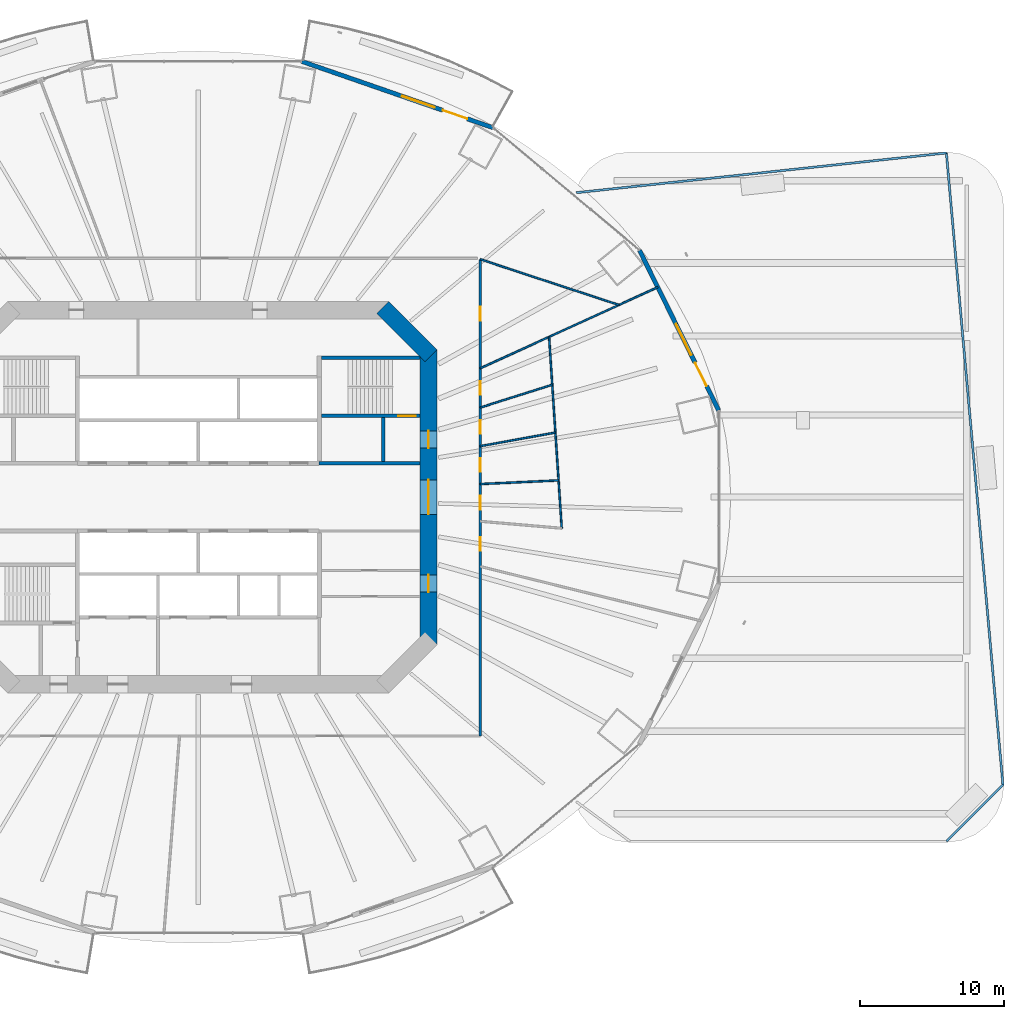
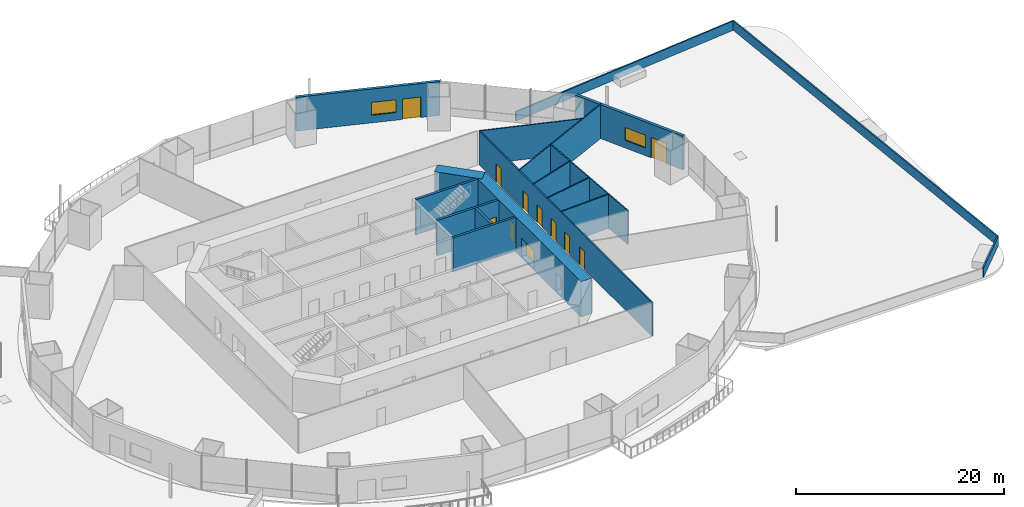
# One storey, part 21 of 27: 18 walls, 11 doors, 3 windows, 14 openings.
"""IFC4 building model written with IfcOpenShell, lengths in metres."""

from ifc_helpers import new_model, si_unit, direction, frame, frame_2d, origin, place, context, subcontext, project, spatial, rectangle, extrude, material, layer, layer_set, type_object, element, fill, save


model = new_model("IFC4")

# Units and contexts
model_context = context("Model", 3, precision=1e-05, world=origin(), true_north=direction((0.0, 1.0)))
body_context = subcontext(model_context, "Body", "Model", "MODEL_VIEW")
ifc_project = project(units=[si_unit("LENGTHUNIT", "METRE"), si_unit("AREAUNIT", "SQUARE_METRE"), si_unit("VOLUMEUNIT", "CUBIC_METRE"), si_unit("PLANEANGLEUNIT", "RADIAN"), si_unit("MASSUNIT", "GRAM", prefix="KILO")], contexts=[model_context])

# Site, building, storey
site_placement = place(None, origin())
site = spatial("IfcSite", under=ifc_project, at=site_placement, CompositionType="ELEMENT")
building_placement = place(site_placement, origin())
building = spatial("IfcBuilding", under=site, at=building_placement, Name="Marenthal Gate Tower", CompositionType="ELEMENT")
storey_placement = place(building_placement, frame((0.0, 0.0, 33.0)))
storey = spatial("IfcBuildingStorey", under=building, at=storey_placement, Name="L04", CompositionType="ELEMENT", Elevation=33.0)

# Wall, openings, doors
ifc_material_1 = material(Name="Concrete 60 MPa", Category="concrete")
ifc_layer_1 = layer(ifc_material_1, 1.199951171875)
ifc_layer_set_1 = layer_set([ifc_layer_1], Name="Core shear wall 1200")
wall_type_1 = type_object("IfcWallType", Name="Core shear wall 1200", PredefinedType="SHEAR", material=ifc_layer_set_1)
wall_1_placement = place(storey_placement, frame((16.0, -10.24853515625, -0.179931640625), z_axis=(0.0, 0.0, 1.0), x_axis=(0.0, 1.0, 0.0)))
wall_1 = element("IfcWall", 1, at=wall_1_placement, inside=storey, type_object=wall_type_1, Name="Core wall 02", PredefinedType="SHEAR", context=body_context, shape_type="SweptSolid", body=[
    extrude(rectangle(XDim=20.4970703125, YDim=1.199951171875, at=frame_2d((10.24853515625, 0.0))), origin(), (0.0, 0.0, 1.0), 4.14990234375),
])
opening_1_placement = place(wall_1_placement, frame((9.048583984375, 0.0, 0.179931640625)))
opening_1 = element("IfcOpeningElement", 2, at=opening_1_placement, cuts=wall_1, Name="Opening D003.02", PredefinedType="OPENING", context=body_context, shape_type="SweptSolid", body=[
    extrude(rectangle(XDim=2.39990234375, YDim=2.10009765625, at=frame_2d((1.199951171875, 1.050048828125))), frame((0.0, 0.60986328125, 0.0), z_axis=(0.0, -1.0, 0.0), x_axis=(1.0, 0.0, 0.0)), (0.0, 0.0, 1.0), 1.219970703125),
])
opening_2_placement = place(wall_1_placement, frame((13.6484375, 0.0, 0.179931640625)))
opening_2 = element("IfcOpeningElement", 3, at=opening_2_placement, cuts=wall_1, Name="Opening D001.05", PredefinedType="OPENING", context=body_context, shape_type="SweptSolid", body=[
    extrude(rectangle(XDim=1.199951171875, YDim=2.10009765625, at=frame_2d((0.60009765625, 1.050048828125))), frame((0.0, 0.60986328125, 0.0), z_axis=(0.0, -1.0, 0.0), x_axis=(1.0, 0.0, 0.0)), (0.0, 0.0, 1.0), 1.219970703125),
])
opening_3_placement = place(wall_1_placement, frame((3.6484375, 0.0, 0.179931640625)))
opening_3 = element("IfcOpeningElement", 4, at=opening_3_placement, cuts=wall_1, Name="Opening D006.01", PredefinedType="OPENING", context=body_context, shape_type="SweptSolid", body=[
    extrude(rectangle(XDim=1.199951171875, YDim=2.10009765625, at=frame_2d((0.60009765625, 1.050048828125))), frame((0.0, 0.60986328125, 0.0), z_axis=(0.0, -1.0, 0.0), x_axis=(1.0, 0.0, 0.0)), (0.0, 0.0, 1.0), 1.219970703125),
])
ifc_material_2 = material(Name="Steel fire door", Category="steel")
door_type_1 = type_object("IfcDoorType", Name="Double fire door FD 45 2400 x 2100", OperationType="DOUBLE_DOOR_SINGLE_SWING", PredefinedType="DOOR", material=ifc_material_2)
door_1_placement = place(opening_1_placement, origin())
door_1 = element("IfcDoor", 5, at=door_1_placement, inside=storey, type_object=door_type_1, Name="Door D003.02", OperationType="DOUBLE_DOOR_SINGLE_SWING", OverallHeight=2.10009765625, OverallWidth=2.39990234375, PredefinedType="DOOR", context=body_context, shape_type="SweptSolid", body=[
    extrude(rectangle(XDim=2.39990234375, YDim=2.10009765625, at=frame_2d((1.199951171875, 1.050048828125))), frame((0.0, 0.02490234375, 0.0), z_axis=(0.0, -1.0, 0.0), x_axis=(1.0, 0.0, 0.0)), (0.0, 0.0, 1.0), 0.050048828125),
])
fill(opening_1, door_1)
ifc_material_3 = material(Name="Steel fire door", Category="steel")
door_type_2 = type_object("IfcDoorType", Name="Fire door FD 45 1200 x 2100", OperationType="NOTDEFINED", PredefinedType="DOOR", material=ifc_material_3)
door_2_placement = place(opening_3_placement, origin())
door_2 = element("IfcDoor", 6, at=door_2_placement, inside=storey, type_object=door_type_2, Name="Door D006.01", OperationType="SINGLE_SWING_RIGHT", OverallHeight=2.10009765625, OverallWidth=1.199951171875, PredefinedType="DOOR", context=body_context, shape_type="SweptSolid", body=[
    extrude(rectangle(XDim=1.199951171875, YDim=2.10009765625, at=frame_2d((0.60009765625, 1.050048828125))), frame((0.0, 0.02490234375, 0.0), z_axis=(0.0, -1.0, 0.0), x_axis=(1.0, 0.0, 0.0)), (0.0, 0.0, 1.0), 0.050048828125),
])
fill(opening_3, door_2)
ifc_material_4 = material(Name="Steel fire door", Category="steel")
door_type_3 = type_object("IfcDoorType", Name="Fire door FD 90 1200 x 2100", OperationType="NOTDEFINED", PredefinedType="DOOR", material=ifc_material_4)
door_3_placement = place(opening_2_placement, origin())
door_3 = element("IfcDoor", 7, at=door_3_placement, inside=storey, type_object=door_type_3, Name="Door D001.05", OperationType="SINGLE_SWING_RIGHT", OverallHeight=2.10009765625, OverallWidth=1.199951171875, PredefinedType="DOOR", context=body_context, shape_type="SweptSolid", body=[
    extrude(rectangle(XDim=1.199951171875, YDim=2.10009765625, at=frame_2d((0.60009765625, 1.050048828125))), frame((0.0, 0.02490234375, 0.0), z_axis=(0.0, -1.0, 0.0), x_axis=(1.0, 0.0, 0.0)), (0.0, 0.0, 1.0), 0.050048828125),
])
fill(opening_2, door_3)

# Walls
wall_2_placement = place(storey_placement, frame((16.17578125, 9.82421875, -0.179931640625), z_axis=(0.0, 0.0, 1.0), x_axis=(-0.707106781187, 0.707106781187, 0.0)))
element("IfcWall", 8, at=wall_2_placement, inside=storey, type_object=wall_type_1, Name="Core wall 03", PredefinedType="SHEAR", context=body_context, shape_type="SweptSolid", body=[
    extrude(rectangle(XDim=4.73974609375, YDim=1.199951171875, at=frame_2d((2.369873046875, 0.0))), origin(), (0.0, 0.0, 1.0), 4.14990234375),
])
ifc_material_5 = material(Name="Gypsum board on steel studs", Category="steel")
ifc_layer_2 = layer(ifc_material_5, 0.1201171875)
ifc_layer_set_2 = layer_set([ifc_layer_2], Name="Partition 120")
wall_type_2 = type_object("IfcWallType", Name="Partition 120", PredefinedType="PARTITIONING", material=ifc_layer_set_2)
wall_3_placement = place(storey_placement, frame((19.60009765625, 8.95703125, 0.0), z_axis=(0.0, 0.0, 1.0), x_axis=(0.909522905178, 0.415653804213, 0.0)))
element("IfcWall", 9, at=wall_3_placement, inside=storey, type_object=wall_type_2, Name="Partition wall 56", PredefinedType="PARTITIONING", context=body_context, shape_type="SweptSolid", body=[
    extrude(rectangle(XDim=13.559326171875, YDim=0.1201171875, at=frame_2d((6.77978515625, 0.0))), origin(), (0.0, 0.0, 1.0), 3.969970703125),
])
wall_4_placement = place(storey_placement, frame((24.599609375, 7.8154296875, 0.0), z_axis=(0.0, 0.0, 1.0), x_axis=(-0.95305649374, -0.302792535808, 0.0)))
element("IfcWall", 10, at=wall_4_placement, inside=storey, type_object=wall_type_2, Name="Partition wall 58", PredefinedType="PARTITIONING", context=body_context, shape_type="SweptSolid", body=[
    extrude(rectangle(XDim=5.245849609375, YDim=0.1201171875, at=frame_2d((2.623046875, 0.0))), origin(), (0.0, 0.0, 1.0), 3.969970703125),
])
wall_5_placement = place(storey_placement, frame((24.8193359375, 4.48974609375, 0.0), z_axis=(0.0, 0.0, 1.0), x_axis=(-0.984022736167, -0.178042845144, 0.0)))
element("IfcWall", 11, at=wall_5_placement, inside=storey, type_object=wall_type_2, Name="Partition wall 59", PredefinedType="PARTITIONING", context=body_context, shape_type="SweptSolid", body=[
    extrude(rectangle(XDim=5.303955078125, YDim=0.1201171875, at=frame_2d((2.65185546875, 0.0))), origin(), (0.0, 0.0, 1.0), 3.969970703125),
])
wall_6_placement = place(storey_placement, frame((25.0390625, 1.163818359375, 0.0), z_axis=(0.0, 0.0, 1.0), x_axis=(-0.998922552869, -0.046408332984, 0.0)))
element("IfcWall", 12, at=wall_6_placement, inside=storey, type_object=wall_type_2, Name="Partition wall 60", PredefinedType="PARTITIONING", context=body_context, shape_type="SweptSolid", body=[
    extrude(rectangle(XDim=5.44482421875, YDim=0.1201171875, at=frame_2d((2.722412109375, 0.0))), origin(), (0.0, 0.0, 1.0), 3.969970703125),
])
wall_7_placement = place(storey_placement, frame((25.2587890625, -2.161865234375, 0.0), z_axis=(0.0, 0.0, 1.0), x_axis=(-0.065941683727, 0.997823478551, 0.0)))
element("IfcWall", 13, at=wall_7_placement, inside=storey, type_object=wall_type_2, Name="Partition wall 61", PredefinedType="PARTITIONING", context=body_context, shape_type="SweptSolid", body=[
    extrude(rectangle(XDim=13.332275390625, YDim=0.1201171875, at=frame_2d((6.666015625, 0.0))), origin(), (0.0, 0.0, 1.0), 3.969970703125),
])
wall_8_placement = place(storey_placement, frame((29.233154296875, 13.359130859375, 0.0), z_axis=(0.0, 0.0, 1.0), x_axis=(-0.949784766096, 0.312903975834, 0.0)))
element("IfcWall", 14, at=wall_8_placement, inside=storey, type_object=wall_type_2, Name="Partition wall 63", PredefinedType="PARTITIONING", context=body_context, shape_type="SweptSolid", body=[
    extrude(rectangle(XDim=10.142333984375, YDim=0.1201171875, at=frame_2d((5.0712890625, 0.0))), origin(), (0.0, 0.0, 1.0), 3.969970703125),
])

# Wall, openings, doors
ifc_material_6 = material(Name="Gypsum board on steel studs", Category="steel")
ifc_layer_3 = layer(ifc_material_6, 0.14990234375)
ifc_layer_set_3 = layer_set([ifc_layer_3], Name="Partition 150")
wall_type_3 = type_object("IfcWallType", Name="Partition 150", PredefinedType="PARTITIONING", material=ifc_layer_set_3)
wall_9_placement = place(storey_placement, frame((19.60009765625, 16.53271484375, 0.0), z_axis=(0.0, 0.0, 1.0), x_axis=(0.0, -1.0, 0.0)))
wall_9 = element("IfcWall", 15, at=wall_9_placement, inside=storey, type_object=wall_type_3, Name="Partition wall 57", PredefinedType="PARTITIONING", context=body_context, shape_type="SweptSolid", body=[
    extrude(rectangle(XDim=33.1328125, YDim=0.14990234375, at=frame_2d((16.56640625, 0.0))), origin(), (0.0, 0.0, 1.0), 3.969970703125),
])
opening_4_placement = place(wall_9_placement, frame((3.31298828125, 0.0, 0.0)))
opening_4 = element("IfcOpeningElement", 16, at=opening_4_placement, cuts=wall_9, Name="Opening D016.01", PredefinedType="OPENING", context=body_context, shape_type="SweptSolid", body=[
    extrude(rectangle(XDim=0.949951171875, YDim=2.10009765625, at=frame_2d((0.47509765625, 1.050048828125))), frame((0.0, 0.0849609375, 0.0), z_axis=(0.0, -1.0, 0.0), x_axis=(1.0, 0.0, 0.0)), (0.0, 0.0, 1.0), 0.169921875),
])
opening_5_placement = place(wall_9_placement, frame((16.44091796875, 0.0, 0.0)))
opening_5 = element("IfcOpeningElement", 17, at=opening_5_placement, cuts=wall_9, Name="Opening D016.03", PredefinedType="OPENING", context=body_context, shape_type="SweptSolid", body=[
    extrude(rectangle(XDim=0.949951171875, YDim=2.10009765625, at=frame_2d((0.47509765625, 1.050048828125))), frame((0.0, 0.0849609375, 0.0), z_axis=(0.0, -1.0, 0.0), x_axis=(1.0, 0.0, 0.0)), (0.0, 0.0, 1.0), 0.169921875),
])
opening_6_placement = place(wall_9_placement, frame((13.8291015625, 0.0, 0.0)))
opening_6 = element("IfcOpeningElement", 18, at=opening_6_placement, cuts=wall_9, Name="Opening D016.04", PredefinedType="OPENING", context=body_context, shape_type="SweptSolid", body=[
    extrude(rectangle(XDim=0.949951171875, YDim=2.10009765625, at=frame_2d((0.47509765625, 1.050048828125))), frame((0.0, 0.0849609375, 0.0), z_axis=(0.0, -1.0, 0.0), x_axis=(1.0, 0.0, 0.0)), (0.0, 0.0, 1.0), 0.169921875),
])
opening_7_placement = place(wall_9_placement, frame((11.1708984375, 0.0, 0.0)))
opening_7 = element("IfcOpeningElement", 19, at=opening_7_placement, cuts=wall_9, Name="Opening D016.05", PredefinedType="OPENING", context=body_context, shape_type="SweptSolid", body=[
    extrude(rectangle(XDim=0.949951171875, YDim=2.10009765625, at=frame_2d((0.47509765625, 1.050048828125))), frame((0.0, 0.0849609375, 0.0), z_axis=(0.0, -1.0, 0.0), x_axis=(1.0, 0.0, 0.0)), (0.0, 0.0, 1.0), 0.169921875),
])
opening_8_placement = place(wall_9_placement, frame((8.466064453125, 0.0, 0.0)))
opening_8 = element("IfcOpeningElement", 20, at=opening_8_placement, cuts=wall_9, Name="Opening D016.06", PredefinedType="OPENING", context=body_context, shape_type="SweptSolid", body=[
    extrude(rectangle(XDim=0.949951171875, YDim=2.10009765625, at=frame_2d((0.47509765625, 1.050048828125))), frame((0.0, 0.0849609375, 0.0), z_axis=(0.0, -1.0, 0.0), x_axis=(1.0, 0.0, 0.0)), (0.0, 0.0, 1.0), 0.169921875),
])
opening_9_placement = place(wall_9_placement, frame((19.30810546875, 0.0, 0.0)))
opening_9 = element("IfcOpeningElement", 21, at=opening_9_placement, cuts=wall_9, Name="Opening D016.07", PredefinedType="OPENING", context=body_context, shape_type="SweptSolid", body=[
    extrude(rectangle(XDim=0.949951171875, YDim=2.10009765625, at=frame_2d((0.47509765625, 1.050048828125))), frame((0.0, 0.0849609375, 0.0), z_axis=(0.0, -1.0, 0.0), x_axis=(1.0, 0.0, 0.0)), (0.0, 0.0, 1.0), 0.169921875),
])
ifc_material_7 = material(Name="Timber door", Category="wood")
door_type_4 = type_object("IfcDoorType", Name="Door 950 x 2100", OperationType="NOTDEFINED", PredefinedType="DOOR", material=ifc_material_7)
door_4_placement = place(opening_4_placement, origin())
door_4 = element("IfcDoor", 22, at=door_4_placement, inside=storey, type_object=door_type_4, Name="Door D016.01", OperationType="SINGLE_SWING_RIGHT", OverallHeight=2.10009765625, OverallWidth=0.949951171875, PredefinedType="DOOR", context=body_context, shape_type="SweptSolid", body=[
    extrude(rectangle(XDim=0.949951171875, YDim=2.10009765625, at=frame_2d((0.47509765625, 1.050048828125))), frame((0.0, 0.02490234375, 0.0), z_axis=(0.0, -1.0, 0.0), x_axis=(1.0, 0.0, 0.0)), (0.0, 0.0, 1.0), 0.050048828125),
])
fill(opening_4, door_4)
door_5_placement = place(opening_5_placement, origin())
door_5 = element("IfcDoor", 23, at=door_5_placement, inside=storey, type_object=door_type_4, Name="Door D016.03", OperationType="SINGLE_SWING_RIGHT", OverallHeight=2.10009765625, OverallWidth=0.949951171875, PredefinedType="DOOR", context=body_context, shape_type="SweptSolid", body=[
    extrude(rectangle(XDim=0.949951171875, YDim=2.10009765625, at=frame_2d((0.47509765625, 1.050048828125))), frame((0.0, 0.02490234375, 0.0), z_axis=(0.0, -1.0, 0.0), x_axis=(1.0, 0.0, 0.0)), (0.0, 0.0, 1.0), 0.050048828125),
])
fill(opening_5, door_5)
door_6_placement = place(opening_6_placement, origin())
door_6 = element("IfcDoor", 24, at=door_6_placement, inside=storey, type_object=door_type_4, Name="Door D016.04", OperationType="SINGLE_SWING_RIGHT", OverallHeight=2.10009765625, OverallWidth=0.949951171875, PredefinedType="DOOR", context=body_context, shape_type="SweptSolid", body=[
    extrude(rectangle(XDim=0.949951171875, YDim=2.10009765625, at=frame_2d((0.47509765625, 1.050048828125))), frame((0.0, 0.02490234375, 0.0), z_axis=(0.0, -1.0, 0.0), x_axis=(1.0, 0.0, 0.0)), (0.0, 0.0, 1.0), 0.050048828125),
])
fill(opening_6, door_6)
door_7_placement = place(opening_7_placement, origin())
door_7 = element("IfcDoor", 25, at=door_7_placement, inside=storey, type_object=door_type_4, Name="Door D016.05", OperationType="SINGLE_SWING_RIGHT", OverallHeight=2.10009765625, OverallWidth=0.949951171875, PredefinedType="DOOR", context=body_context, shape_type="SweptSolid", body=[
    extrude(rectangle(XDim=0.949951171875, YDim=2.10009765625, at=frame_2d((0.47509765625, 1.050048828125))), frame((0.0, 0.02490234375, 0.0), z_axis=(0.0, -1.0, 0.0), x_axis=(1.0, 0.0, 0.0)), (0.0, 0.0, 1.0), 0.050048828125),
])
fill(opening_7, door_7)
door_8_placement = place(opening_8_placement, origin())
door_8 = element("IfcDoor", 26, at=door_8_placement, inside=storey, type_object=door_type_4, Name="Door D016.06", OperationType="SINGLE_SWING_RIGHT", OverallHeight=2.10009765625, OverallWidth=0.949951171875, PredefinedType="DOOR", context=body_context, shape_type="SweptSolid", body=[
    extrude(rectangle(XDim=0.949951171875, YDim=2.10009765625, at=frame_2d((0.47509765625, 1.050048828125))), frame((0.0, 0.02490234375, 0.0), z_axis=(0.0, -1.0, 0.0), x_axis=(1.0, 0.0, 0.0)), (0.0, 0.0, 1.0), 0.050048828125),
])
fill(opening_8, door_8)
door_9_placement = place(opening_9_placement, origin())
door_9 = element("IfcDoor", 27, at=door_9_placement, inside=storey, type_object=door_type_4, Name="Door D016.07", OperationType="SINGLE_SWING_RIGHT", OverallHeight=2.10009765625, OverallWidth=0.949951171875, PredefinedType="DOOR", context=body_context, shape_type="SweptSolid", body=[
    extrude(rectangle(XDim=0.949951171875, YDim=2.10009765625, at=frame_2d((0.47509765625, 1.050048828125))), frame((0.0, 0.02490234375, 0.0), z_axis=(0.0, -1.0, 0.0), x_axis=(1.0, 0.0, 0.0)), (0.0, 0.0, 1.0), 0.050048828125),
])
fill(opening_9, door_9)

# Walls
ifc_material_8 = material(Name="Concrete 40 MPa", Category="concrete")
ifc_layer_4 = layer(ifc_material_8, 0.25)
ifc_layer_set_4 = layer_set([ifc_layer_4], Name="Stair enclosure wall 250")
wall_type_4 = type_object("IfcWallType", Name="Stair enclosure wall 250", PredefinedType="STANDARD", material=ifc_layer_set_4)
wall_10_placement = place(storey_placement, frame((8.39990234375, 2.35009765625, 0.0), z_axis=(0.0, 0.0, 1.0), x_axis=(1.0, 0.0, 0.0)))
element("IfcWall", 28, at=wall_10_placement, inside=storey, type_object=wall_type_4, Name="Stair wall 21", PredefinedType="STANDARD", context=body_context, shape_type="SweptSolid", body=[
    extrude(rectangle(XDim=7.0, YDim=0.25, at=frame_2d((3.5, 0.0))), origin(), (0.0, 0.0, 1.0), 3.969970703125),
])
wall_11_placement = place(storey_placement, frame((12.85009765625, 2.47509765625, 0.0), z_axis=(0.0, 0.0, 1.0), x_axis=(0.0, 1.0, 0.0)))
element("IfcWall", 29, at=wall_11_placement, inside=storey, type_object=wall_type_4, Name="Stair wall 46", PredefinedType="STANDARD", context=body_context, shape_type="SweptSolid", body=[
    extrude(rectangle(XDim=3.0498046875, YDim=0.25, at=frame_2d((1.52490234375, 0.0))), origin(), (0.0, 0.0, 1.0), 3.969970703125),
])

# Wall, opening, door
ifc_material_9 = material(Name="Concrete 50 MPa", Category="concrete")
ifc_layer_5 = layer(ifc_material_9, 0.25)
ifc_layer_set_5 = layer_set([ifc_layer_5], Name="Stair shear wall 250")
wall_type_5 = type_object("IfcWallType", Name="Stair shear wall 250", PredefinedType="SHEAR", material=ifc_layer_set_5)
wall_12_placement = place(storey_placement, frame((8.550048828125, 5.64990234375, -0.179931640625), z_axis=(0.0, 0.0, 1.0), x_axis=(1.0, 0.0, 0.0)))
wall_12 = element("IfcWall", 30, at=wall_12_placement, inside=storey, type_object=wall_type_5, Name="Stair wall 24", PredefinedType="SHEAR", context=body_context, shape_type="SweptSolid", body=[
    extrude(rectangle(XDim=6.849853515625, YDim=0.25, at=frame_2d((3.4248046875, 0.0))), origin(), (0.0, 0.0, 1.0), 4.14990234375),
])
opening_10_placement = place(wall_12_placement, frame((5.35009765625, 0.0, 0.179931640625)))
opening_10 = element("IfcOpeningElement", 31, at=opening_10_placement, cuts=wall_12, Name="Opening D001.02", PredefinedType="OPENING", context=body_context, shape_type="SweptSolid", body=[
    extrude(rectangle(XDim=1.199951171875, YDim=2.10009765625, at=frame_2d((0.60009765625, 1.050048828125))), frame((0.0, 0.135009765625, 0.0), z_axis=(0.0, -1.0, 0.0), x_axis=(1.0, 0.0, 0.0)), (0.0, 0.0, 1.0), 0.27001953125),
])
door_10_placement = place(opening_10_placement, origin())
door_10 = element("IfcDoor", 32, at=door_10_placement, inside=storey, type_object=door_type_3, Name="Door D001.02", OperationType="SINGLE_SWING_RIGHT", OverallHeight=2.10009765625, OverallWidth=1.199951171875, PredefinedType="DOOR", context=body_context, shape_type="SweptSolid", body=[
    extrude(rectangle(XDim=1.199951171875, YDim=2.10009765625, at=frame_2d((0.60009765625, 1.050048828125))), frame((0.0, 0.02490234375, 0.0), z_axis=(0.0, -1.0, 0.0), x_axis=(1.0, 0.0, 0.0)), (0.0, 0.0, 1.0), 0.050048828125),
])
fill(opening_10, door_10)

# Wall
wall_13_placement = place(storey_placement, frame((8.550048828125, 9.699951171875, -0.179931640625), z_axis=(0.0, 0.0, 1.0), x_axis=(1.0, 0.0, 0.0)))
element("IfcWall", 33, at=wall_13_placement, inside=storey, type_object=wall_type_5, Name="Stair wall 27", PredefinedType="SHEAR", context=body_context, shape_type="SweptSolid", body=[
    extrude(rectangle(XDim=6.849853515625, YDim=0.25, at=frame_2d((3.4248046875, 0.0))), origin(), (0.0, 0.0, 1.0), 4.14990234375),
])

# Wall, openings, windows
ifc_material_10 = material(Name="Terracotta cladding on insulated concrete-block backing", Category="masonry")
ifc_layer_6 = layer(ifc_material_10, 0.300048828125)
ifc_layer_set_6 = layer_set([ifc_layer_6], Name="Terracotta facade wall 300")
wall_type_6 = type_object("IfcWallType", Name="Terracotta facade wall 300", PredefinedType="SOLIDWALL", material=ifc_layer_set_6)
wall_14_placement = place(storey_placement, frame((36.17138671875, 6.0244140625, 0.0), z_axis=(0.0, 0.0, 1.0), x_axis=(-0.443411588907, 0.896318114747, 0.0)))
wall_14 = element("IfcWall", 34, at=wall_14_placement, inside=storey, type_object=wall_type_6, Name="Terracotta facade wall L04 bay 1", PredefinedType="SOLIDWALL", context=body_context, shape_type="SweptSolid", body=[
    extrude(rectangle(XDim=12.419189453125, YDim=0.300048828125, at=frame_2d((6.20947265625, 0.0))), origin(), (0.0, 0.0, 1.0), 3.969970703125),
])
opening_11_placement = place(wall_14_placement, frame((1.89990234375, 0.0, 0.0)))
opening_11 = element("IfcOpeningElement", 35, at=opening_11_placement, cuts=wall_14, Name="Opening WN8-L04-01", PredefinedType="OPENING", context=body_context, shape_type="SweptSolid", body=[
    extrude(rectangle(XDim=1.800048828125, YDim=2.39990234375, at=frame_2d((0.89990234375, 1.199951171875))), frame((0.0, 0.16015625, 0.0), z_axis=(0.0, -1.0, 0.0), x_axis=(1.0, 0.0, 0.0)), (0.0, 0.0, 1.0), 0.320068359375),
])
opening_12_placement = place(wall_14_placement, frame((4.300048828125, 0.0, 0.89990234375)))
opening_12 = element("IfcOpeningElement", 36, at=opening_12_placement, cuts=wall_14, Name="Opening WN1-L04-01", PredefinedType="OPENING", context=body_context, shape_type="SweptSolid", body=[
    extrude(rectangle(XDim=2.39990234375, YDim=1.5, at=frame_2d((1.199951171875, 0.75))), frame((0.0, 0.16015625, 0.0), z_axis=(0.0, -1.0, 0.0), x_axis=(1.0, 0.0, 0.0)), (0.0, 0.0, 1.0), 0.320068359375),
])
ifc_material_11 = material(Name="Aluminium and glass", Category="aluminium")
window_type_1 = type_object("IfcWindowType", Name="Terracotta SCREEN 30", PartitioningType="DOUBLE_PANEL_VERTICAL", PredefinedType="WINDOW", material=ifc_material_11)
window_1_placement = place(opening_11_placement, origin())
window_1 = element("IfcWindow", 37, at=window_1_placement, inside=storey, type_object=window_type_1, Name="Glazed screen L04 bay 1", OverallHeight=2.39990234375, OverallWidth=1.800048828125, PartitioningType="SINGLE_PANEL", PredefinedType="WINDOW", context=body_context, shape_type="SweptSolid", body=[
    extrude(rectangle(XDim=1.800048828125, YDim=2.39990234375, at=frame_2d((0.89990234375, 1.199951171875))), frame((0.0, 0.030029296875, 0.0), z_axis=(0.0, -1.0, 0.0), x_axis=(1.0, 0.0, 0.0)), (0.0, 0.0, 1.0), 0.06005859375),
])
fill(opening_11, window_1)
ifc_material_12 = material(Name="Aluminium and glass", Category="aluminium")
window_type_2 = type_object("IfcWindowType", Name="Window 2400x1500", PartitioningType="TRIPLE_PANEL_VERTICAL", PredefinedType="WINDOW", material=ifc_material_12)
window_2_placement = place(opening_12_placement, origin())
window_2 = element("IfcWindow", 38, at=window_2_placement, inside=storey, type_object=window_type_2, Name="Window L04 bay 1", OverallHeight=1.5, OverallWidth=2.39990234375, PartitioningType="SINGLE_PANEL", PredefinedType="WINDOW", context=body_context, shape_type="SweptSolid", body=[
    extrude(rectangle(XDim=2.39990234375, YDim=1.5, at=frame_2d((1.199951171875, 0.75))), frame((0.0, 0.030029296875, 0.0), z_axis=(0.0, -1.0, 0.0), x_axis=(1.0, 0.0, 0.0)), (0.0, 0.0, 1.0), 0.06005859375),
])
fill(opening_12, window_2)

# Wall, openings, door, window
wall_15_placement = place(storey_placement, frame((20.489501953125, 25.67578125, 0.0), z_axis=(0.0, 0.0, 1.0), x_axis=(-0.944791803015, 0.327671251341, 0.0)))
wall_15 = element("IfcWall", 39, at=wall_15_placement, inside=storey, type_object=wall_type_6, Name="Terracotta facade wall L04 bay 3", PredefinedType="SOLIDWALL", context=body_context, shape_type="SweptSolid", body=[
    extrude(rectangle(XDim=14.071533203125, YDim=0.300048828125, at=frame_2d((7.03564453125, 0.0))), origin(), (0.0, 0.0, 1.0), 3.969970703125),
])
opening_13_placement = place(wall_15_placement, frame((1.89990234375, 0.0, 0.0)))
opening_13 = element("IfcOpeningElement", 40, at=opening_13_placement, cuts=wall_15, Name="Opening BD-L04-03", PredefinedType="OPENING", context=body_context, shape_type="SweptSolid", body=[
    extrude(rectangle(XDim=1.800048828125, YDim=2.39990234375, at=frame_2d((0.89990234375, 1.199951171875))), frame((0.0, 0.16015625, 0.0), z_axis=(0.0, -1.0, 0.0), x_axis=(1.0, 0.0, 0.0)), (0.0, 0.0, 1.0), 0.320068359375),
])
opening_14_placement = place(wall_15_placement, frame((4.300048828125, 0.0, 0.89990234375)))
opening_14 = element("IfcOpeningElement", 41, at=opening_14_placement, cuts=wall_15, Name="Opening WN1-L04-03", PredefinedType="OPENING", context=body_context, shape_type="SweptSolid", body=[
    extrude(rectangle(XDim=2.39990234375, YDim=1.5, at=frame_2d((1.199951171875, 0.75))), frame((0.0, 0.16015625, 0.0), z_axis=(0.0, -1.0, 0.0), x_axis=(1.0, 0.0, 0.0)), (0.0, 0.0, 1.0), 0.320068359375),
])
ifc_material_13 = material(Name="Aluminium and glass", Category="aluminium")
door_type_5 = type_object("IfcDoorType", Name="Balcony door 1800x2400", OperationType="DOUBLE_DOOR_SINGLE_SWING", PredefinedType="DOOR", material=ifc_material_13)
door_11_placement = place(opening_13_placement, origin())
door_11 = element("IfcDoor", 42, at=door_11_placement, inside=storey, type_object=door_type_5, Name="Balcony door L04 bay 3", OperationType="SINGLE_SWING_LEFT", OverallHeight=2.39990234375, OverallWidth=1.800048828125, PredefinedType="DOOR", context=body_context, shape_type="SweptSolid", body=[
    extrude(rectangle(XDim=1.800048828125, YDim=2.39990234375, at=frame_2d((0.89990234375, 1.199951171875))), frame((0.0, 0.02490234375, 0.0), z_axis=(0.0, -1.0, 0.0), x_axis=(1.0, 0.0, 0.0)), (0.0, 0.0, 1.0), 0.050048828125),
])
fill(opening_13, door_11)
window_3_placement = place(opening_14_placement, origin())
window_3 = element("IfcWindow", 43, at=window_3_placement, inside=storey, type_object=window_type_2, Name="Window L04 bay 3", OverallHeight=1.5, OverallWidth=2.39990234375, PartitioningType="SINGLE_PANEL", PredefinedType="WINDOW", context=body_context, shape_type="SweptSolid", body=[
    extrude(rectangle(XDim=2.39990234375, YDim=1.5, at=frame_2d((1.199951171875, 0.75))), frame((0.0, 0.030029296875, 0.0), z_axis=(0.0, -1.0, 0.0), x_axis=(1.0, 0.0, 0.0)), (0.0, 0.0, 1.0), 0.06005859375),
])
fill(opening_14, window_3)

# Walls
ifc_material_14 = material(Name="Concrete 40 MPa", Category="concrete")
ifc_layer_7 = layer(ifc_material_14, 0.14990234375)
ifc_layer_set_7 = layer_set([ifc_layer_7], Name="Wing roof parapet 150")
wall_type_7 = type_object("IfcWallType", Name="Wing roof parapet 150", PredefinedType="PARAPET", material=ifc_layer_set_7)
wall_16_placement = place(storey_placement, frame((26.269775390625, 21.161865234375, -0.0400390625), z_axis=(0.0, 0.0, 1.0), x_axis=(0.994280882385, 0.106796661575, 0.0)))
element("IfcWall", 44, at=wall_16_placement, inside=storey, type_object=wall_type_7, Name="Wing roof parapet E3", PredefinedType="PARAPET", context=body_context, shape_type="SweptSolid", body=[
    extrude(rectangle(XDim=25.873291015625, YDim=0.14990234375, at=frame_2d((12.9365234375, 0.0))), origin(), (0.0, 0.0, 1.0), 1.10009765625),
])
wall_17_placement = place(storey_placement, frame((51.9951171875, 23.925048828125, -0.0400390625), z_axis=(0.0, 0.0, 1.0), x_axis=(0.089122910187, -0.99602063577, 0.0)))
element("IfcWall", 45, at=wall_17_placement, inside=storey, type_object=wall_type_7, Name="Wing roof parapet E4", PredefinedType="PARAPET", context=body_context, shape_type="SweptSolid", body=[
    extrude(rectangle(XDim=44.095703125, YDim=0.14990234375, at=frame_2d((22.0478515625, 0.0))), origin(), (0.0, 0.0, 1.0), 1.10009765625),
])
wall_18_placement = place(storey_placement, frame((55.925048828125, -19.9951171875, -0.0400390625), z_axis=(0.0, 0.0, 1.0), x_axis=(-0.707106781187, -0.707106781187, 0.0)))
element("IfcWall", 46, at=wall_18_placement, inside=storey, type_object=wall_type_7, Name="Wing roof parapet E5", PredefinedType="PARAPET", context=body_context, shape_type="SweptSolid", body=[
    extrude(rectangle(XDim=5.557861328125, YDim=0.14990234375, at=frame_2d((2.77880859375, 0.0))), origin(), (0.0, 0.0, 1.0), 1.10009765625),
])

save(model, "model.ifc")
